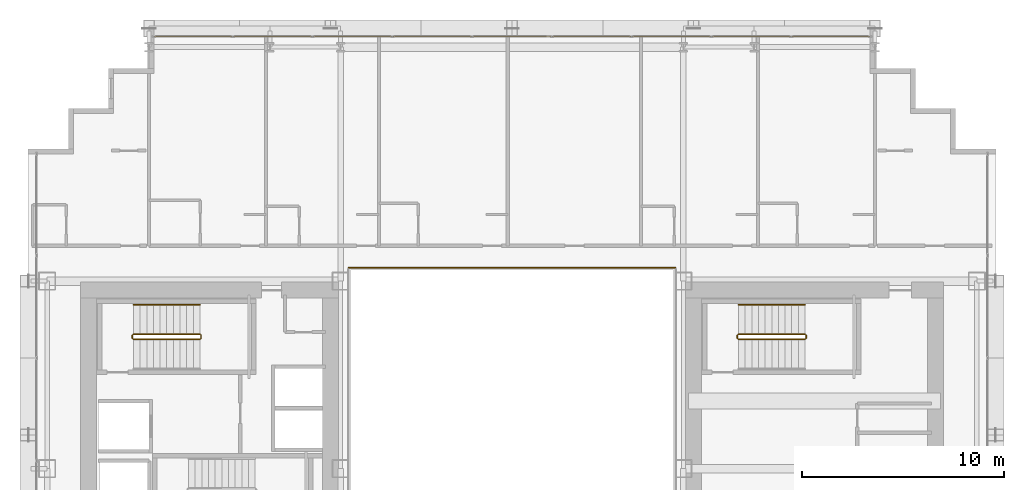
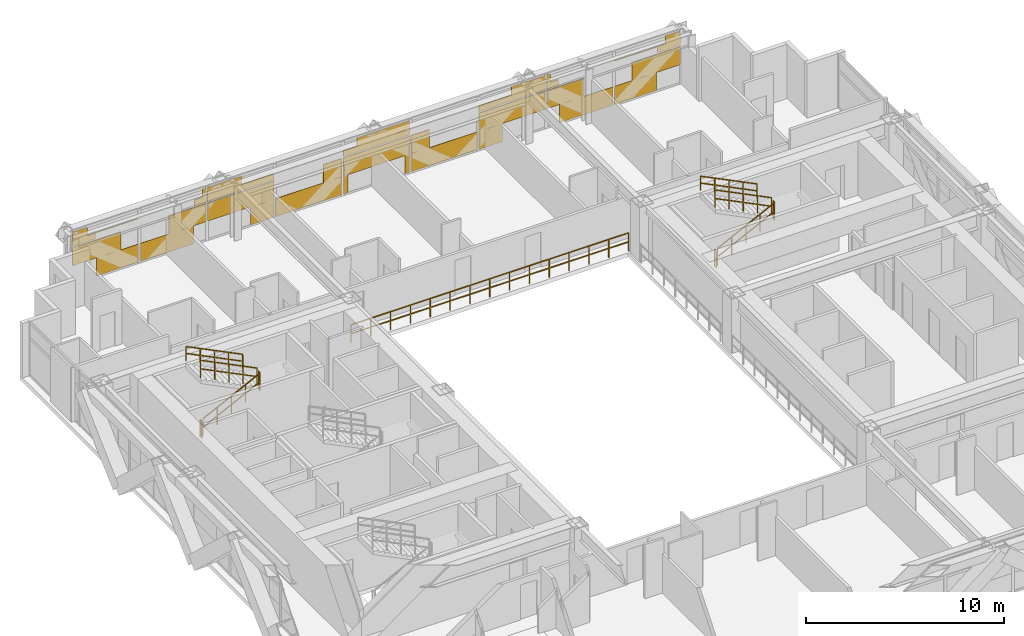
# One storey, part 38 of 38: 11 railings, 1 covering.
"""IFC4 building model written with IfcOpenShell, lengths in metres."""

from ifc_helpers import new_model, si_unit, direction, frame, origin, origin_2d, place, context, subcontext, project, spatial, rectangle, extrude, material, layer, layer_set, type_object, element, save


model = new_model("IFC4")

# Units and contexts
model_context = context("Model", 3, precision=1e-05, world=origin(), true_north=direction((0.0, 1.0)))
body_context = subcontext(model_context, "Body", "Model", "MODEL_VIEW")
ifc_project = project(units=[si_unit("LENGTHUNIT", "METRE"), si_unit("AREAUNIT", "SQUARE_METRE"), si_unit("VOLUMEUNIT", "CUBIC_METRE"), si_unit("PLANEANGLEUNIT", "RADIAN"), si_unit("MASSUNIT", "GRAM", prefix="KILO")], contexts=[model_context])

# Site, building, storey
site_placement = place(None, origin())
site = spatial("IfcSite", under=ifc_project, at=site_placement, CompositionType="ELEMENT")
building_placement = place(site_placement, origin())
building = spatial("IfcBuilding", under=site, at=building_placement, Name="Ocotamira Hotel", CompositionType="ELEMENT")
storey_placement = place(building_placement, frame((0.0, 0.0, 45.60009765625)))
storey = spatial("IfcBuildingStorey", under=building, at=storey_placement, Name="L10", CompositionType="ELEMENT", Elevation=45.60009765625)

# Covering
ifc_material_1 = material(Name="Insulated pale-metal aluminium spandrel panel", Category="aluminium")
ifc_layer = layer(ifc_material_1, 0.044921875)
ifc_layer_set = layer_set([ifc_layer], Name="Insulated pale-metal aluminium spandrel panel")
covering_type = type_object("IfcCoveringType", Name="COV-INFILL-45", PredefinedType="CLADDING", material=ifc_layer_set)
covering_placement = place(storey_placement, origin())
element("IfcCovering", 1, at=covering_placement, inside=storey, type_object=covering_type, Name="L10 Curtain Wall Infill CW-2 CW-L10-N", PredefinedType="CLADDING", context=body_context, shape_type="SweptSolid", body=[
    extrude(rectangle(XDim=2.822265625, YDim=0.044921875, at=origin_2d()), frame((15.691650390625, 49.580078125, 1.194091796875), z_axis=(0.0, 0.0, 1.0), x_axis=(1.0, 0.0, 0.0)), (0.0, 0.0, 1.0), 1.11767578125),
    extrude(rectangle(XDim=2.4521484375, YDim=0.044921875, at=origin_2d()), frame((16.888916015625, 49.580078125, 0.0751953125), z_axis=(0.0, 0.0, 1.0), x_axis=(1.0, 0.0, 0.0)), (0.0, 0.0, 1.0), 1.117919921875),
    extrude(rectangle(XDim=1.330078125, YDim=0.044921875, at=origin_2d()), frame((14.945556640625, 49.580078125, 2.3876953125), z_axis=(0.0, 0.0, 1.0), x_axis=(1.0, 0.0, 0.0)), (0.0, 0.0, 1.0), 0.344482421875),
    extrude(rectangle(XDim=3.834716796875, YDim=0.044921875, at=origin_2d()), frame((16.19775390625, 49.580078125, 2.7333984375), z_axis=(0.0, 0.0, 1.0), x_axis=(1.0, 0.0, 0.0)), (0.0, 0.0, 1.0), 0.0302734375),
    extrude(rectangle(XDim=0.859130859375, YDim=0.044921875, at=origin_2d()), frame((14.7099609375, 49.580078125, 2.7646484375), z_axis=(0.0, 0.0, 1.0), x_axis=(1.0, 0.0, 0.0)), (0.0, 0.0, 1.0), 0.509765625),
    extrude(rectangle(XDim=3.14111328125, YDim=0.044921875, at=origin_2d()), frame((19.7666015625, 49.580078125, 0.0751953125), z_axis=(0.0, 0.0, 1.0), x_axis=(1.0, 0.0, 0.0)), (0.0, 0.0, 1.0), 1.117919921875),
    extrude(rectangle(XDim=2.17333984375, YDim=0.044921875, at=origin_2d()), frame((20.98388671875, 49.580078125, 1.194091796875), z_axis=(0.0, 0.0, 1.0), x_axis=(1.0, 0.0, 0.0)), (0.0, 0.0, 1.0), 1.11767578125),
    extrude(rectangle(XDim=0.68115234375, YDim=0.044921875, at=origin_2d()), frame((21.72998046875, 49.580078125, 2.3876953125), z_axis=(0.0, 0.0, 1.0), x_axis=(1.0, 0.0, 0.0)), (0.0, 0.0, 1.0), 0.375732421875),
    extrude(rectangle(XDim=0.210205078125, YDim=0.044921875, at=origin_2d()), frame((21.965576171875, 49.580078125, 2.7646484375), z_axis=(0.0, 0.0, 1.0), x_axis=(1.0, 0.0, 0.0)), (0.0, 0.0, 1.0), 0.509765625),
    extrude(rectangle(XDim=3.87451171875, YDim=0.044921875, at=origin_2d()), frame((24.0888671875, 49.580078125, 1.194091796875), z_axis=(0.0, 0.0, 1.0), x_axis=(1.0, 0.0, 0.0)), (0.0, 0.0, 1.0), 1.11767578125),
    extrude(rectangle(XDim=1.36328125, YDim=0.044921875, at=origin_2d()), frame((25.344482421875, 49.580078125, 0.0751953125), z_axis=(0.0, 0.0, 1.0), x_axis=(1.0, 0.0, 0.0)), (0.0, 0.0, 1.0), 1.117919921875),
    extrude(rectangle(XDim=3.87451171875, YDim=0.044921875, at=origin_2d()), frame((24.0888671875, 49.580078125, 2.3876953125), z_axis=(0.0, 0.0, 1.0), x_axis=(1.0, 0.0, 0.0)), (0.0, 0.0, 1.0), 0.375732421875),
    extrude(rectangle(XDim=1.988037109375, YDim=0.044921875, at=origin_2d()), frame((23.1455078125, 49.580078125, 2.7646484375), z_axis=(0.0, 0.0, 1.0), x_axis=(1.0, 0.0, 0.0)), (0.0, 0.0, 1.0), 0.509765625),
    extrude(rectangle(XDim=3.87451171875, YDim=0.044921875, at=origin_2d()), frame((28.04443359375, 49.580078125, 0.0751953125), z_axis=(0.0, 0.0, 1.0), x_axis=(1.0, 0.0, 0.0)), (0.0, 0.0, 1.0), 1.117919921875),
    extrude(rectangle(XDim=1.08447265625, YDim=0.044921875, at=origin_2d()), frame((29.439453125, 49.580078125, 1.194091796875), z_axis=(0.0, 0.0, 1.0), x_axis=(1.0, 0.0, 0.0)), (0.0, 0.0, 1.0), 1.11767578125),
    extrude(rectangle(XDim=0.2744140625, YDim=0.044921875, at=origin_2d()), frame((30.199951171875, 49.580078125, 0.0751953125), z_axis=(0.0, 0.0, 1.0), x_axis=(1.0, 0.0, 0.0)), (0.0, 0.0, 1.0), 1.117919921875),
    extrude(rectangle(XDim=3.87451171875, YDim=0.044921875, at=origin_2d()), frame((32.0, 49.580078125, 1.194091796875), z_axis=(0.0, 0.0, 1.0), x_axis=(1.0, 0.0, 0.0)), (0.0, 0.0, 1.0), 1.11767578125),
    extrude(rectangle(XDim=0.2744140625, YDim=0.044921875, at=origin_2d()), frame((33.800048828125, 49.580078125, 0.0751953125), z_axis=(0.0, 0.0, 1.0), x_axis=(1.0, 0.0, 0.0)), (0.0, 0.0, 1.0), 1.117919921875),
    extrude(rectangle(XDim=3.87451171875, YDim=0.044921875, at=origin_2d()), frame((32.0, 49.580078125, 2.3876953125), z_axis=(0.0, 0.0, 1.0), x_axis=(1.0, 0.0, 0.0)), (0.0, 0.0, 1.0), 0.375732421875),
    extrude(rectangle(XDim=3.076904296875, YDim=0.044921875, at=origin_2d()), frame((32.39892578125, 49.580078125, 2.7646484375), z_axis=(0.0, 0.0, 1.0), x_axis=(1.0, 0.0, 0.0)), (0.0, 0.0, 1.0), 0.509765625),
    extrude(rectangle(XDim=3.87451171875, YDim=0.044921875, at=origin_2d()), frame((35.95556640625, 49.580078125, 0.0751953125), z_axis=(0.0, 0.0, 1.0), x_axis=(1.0, 0.0, 0.0)), (0.0, 0.0, 1.0), 1.117919921875),
    extrude(rectangle(XDim=1.08447265625, YDim=0.044921875, at=origin_2d()), frame((34.560546875, 49.580078125, 1.194091796875), z_axis=(0.0, 0.0, 1.0), x_axis=(1.0, 0.0, 0.0)), (0.0, 0.0, 1.0), 1.11767578125),
    extrude(rectangle(XDim=1.36328125, YDim=0.044921875, at=origin_2d()), frame((38.655517578125, 49.580078125, 0.0751953125), z_axis=(0.0, 0.0, 1.0), x_axis=(1.0, 0.0, 0.0)), (0.0, 0.0, 1.0), 1.117919921875),
    extrude(rectangle(XDim=3.87451171875, YDim=0.044921875, at=origin_2d()), frame((39.9111328125, 49.580078125, 1.194091796875), z_axis=(0.0, 0.0, 1.0), x_axis=(1.0, 0.0, 0.0)), (0.0, 0.0, 1.0), 1.11767578125),
    extrude(rectangle(XDim=3.87451171875, YDim=0.044921875, at=origin_2d()), frame((39.9111328125, 49.580078125, 2.3876953125), z_axis=(0.0, 0.0, 1.0), x_axis=(1.0, 0.0, 0.0)), (0.0, 0.0, 1.0), 0.375732421875),
    extrude(rectangle(XDim=1.988037109375, YDim=0.044921875, at=origin_2d()), frame((40.8544921875, 49.580078125, 2.7646484375), z_axis=(0.0, 0.0, 1.0), x_axis=(1.0, 0.0, 0.0)), (0.0, 0.0, 1.0), 0.509765625),
    extrude(rectangle(XDim=2.17333984375, YDim=0.044921875, at=origin_2d()), frame((43.01611328125, 49.580078125, 1.194091796875), z_axis=(0.0, 0.0, 1.0), x_axis=(1.0, 0.0, 0.0)), (0.0, 0.0, 1.0), 1.11767578125),
    extrude(rectangle(XDim=3.14111328125, YDim=0.044921875, at=origin_2d()), frame((44.2333984375, 49.580078125, 0.0751953125), z_axis=(0.0, 0.0, 1.0), x_axis=(1.0, 0.0, 0.0)), (0.0, 0.0, 1.0), 1.117919921875),
    extrude(rectangle(XDim=0.68115234375, YDim=0.044921875, at=origin_2d()), frame((42.27001953125, 49.580078125, 2.3876953125), z_axis=(0.0, 0.0, 1.0), x_axis=(1.0, 0.0, 0.0)), (0.0, 0.0, 1.0), 0.375732421875),
    extrude(rectangle(XDim=0.210205078125, YDim=0.044921875, at=origin_2d()), frame((42.034423828125, 49.580078125, 2.7646484375), z_axis=(0.0, 0.0, 1.0), x_axis=(1.0, 0.0, 0.0)), (0.0, 0.0, 1.0), 0.509765625),
    extrude(rectangle(XDim=2.4521484375, YDim=0.044921875, at=origin_2d()), frame((47.111083984375, 49.580078125, 0.0751953125), z_axis=(0.0, 0.0, 1.0), x_axis=(1.0, 0.0, 0.0)), (0.0, 0.0, 1.0), 1.117919921875),
    extrude(rectangle(XDim=2.822265625, YDim=0.044921875, at=origin_2d()), frame((48.308349609375, 49.580078125, 1.194091796875), z_axis=(0.0, 0.0, 1.0), x_axis=(1.0, 0.0, 0.0)), (0.0, 0.0, 1.0), 1.11767578125),
    extrude(rectangle(XDim=3.834716796875, YDim=0.044921875, at=origin_2d()), frame((47.80224609375, 49.580078125, 2.7333984375), z_axis=(0.0, 0.0, 1.0), x_axis=(1.0, 0.0, 0.0)), (0.0, 0.0, 1.0), 0.0302734375),
    extrude(rectangle(XDim=1.330078125, YDim=0.044921875, at=origin_2d()), frame((49.054443359375, 49.580078125, 2.3876953125), z_axis=(0.0, 0.0, 1.0), x_axis=(1.0, 0.0, 0.0)), (0.0, 0.0, 1.0), 0.344482421875),
    extrude(rectangle(XDim=0.859130859375, YDim=0.044921875, at=origin_2d()), frame((49.2900390625, 49.580078125, 2.7646484375), z_axis=(0.0, 0.0, 1.0), x_axis=(1.0, 0.0, 0.0)), (0.0, 0.0, 1.0), 0.509765625),
])

# Railings
ifc_material_2 = material(Name="Painted steel stair guardrail", Category="steel")
railing_type_1 = type_object("IfcRailingType", Name="RL-EDGE-1150", PredefinedType="GUARDRAIL", material=ifc_material_2)
railing_1_placement = place(storey_placement, frame((40.10009765625, 38.1201171875, 0.0)))
element("IfcRailing", 2, at=railing_1_placement, inside=storey, type_object=railing_type_1, Name="L10 Central Atrium Edge Guardrail N", PredefinedType="GUARDRAIL", context=body_context, shape_type="SweptSolid", body=[
    extrude(rectangle(XDim=0.048095703125, YDim=0.048095703125, at=origin_2d()), frame((0.0, 0.0, 1.1259765625), z_axis=(-1.0, 0.0, 0.0), x_axis=(0.0, -1.0, 0.0)), (0.0, 0.0, 1.0), 16.2001953125),
    extrude(rectangle(XDim=0.048095703125, YDim=0.048095703125, at=origin_2d()), frame((0.0, 0.0, 0.574951171875), z_axis=(-1.0, 0.0, 0.0), x_axis=(0.0, -1.0, 0.0)), (0.0, 0.0, 1.0), 16.2001953125),
    extrude(rectangle(XDim=0.0419921875, YDim=0.0419921875, at=origin_2d()), origin(), (0.0, 0.0, 1.0), 1.101806640625),
    extrude(rectangle(XDim=0.0419921875, YDim=0.0419921875, at=origin_2d()), frame((-1.1572265625, 0.0, 0.0)), (0.0, 0.0, 1.0), 1.101806640625),
    extrude(rectangle(XDim=0.0419921875, YDim=0.0419921875, at=origin_2d()), frame((-2.314208984375, 0.0, 0.0)), (0.0, 0.0, 1.0), 1.101806640625),
    extrude(rectangle(XDim=0.0419921875, YDim=0.0419921875, at=origin_2d()), frame((-3.471435546875, 0.0, 0.0)), (0.0, 0.0, 1.0), 1.101806640625),
    extrude(rectangle(XDim=0.0419921875, YDim=0.0419921875, at=origin_2d()), frame((-4.628662109375, 0.0, 0.0)), (0.0, 0.0, 1.0), 1.101806640625),
    extrude(rectangle(XDim=0.0419921875, YDim=0.0419921875, at=origin_2d()), frame((-5.785888671875, 0.0, 0.0)), (0.0, 0.0, 1.0), 1.101806640625),
    extrude(rectangle(XDim=0.0419921875, YDim=0.0419921875, at=origin_2d()), frame((-6.94287109375, 0.0, 0.0)), (0.0, 0.0, 1.0), 1.101806640625),
    extrude(rectangle(XDim=0.0419921875, YDim=0.0419921875, at=origin_2d()), frame((-8.10009765625, 0.0, 0.0)), (0.0, 0.0, 1.0), 1.101806640625),
    extrude(rectangle(XDim=0.0419921875, YDim=0.0419921875, at=origin_2d()), frame((-9.25732421875, 0.0, 0.0)), (0.0, 0.0, 1.0), 1.101806640625),
    extrude(rectangle(XDim=0.0419921875, YDim=0.0419921875, at=origin_2d()), frame((-10.414306640625, 0.0, 0.0)), (0.0, 0.0, 1.0), 1.101806640625),
    extrude(rectangle(XDim=0.0419921875, YDim=0.0419921875, at=origin_2d()), frame((-11.571533203125, 0.0, 0.0)), (0.0, 0.0, 1.0), 1.101806640625),
    extrude(rectangle(XDim=0.0419921875, YDim=0.0419921875, at=origin_2d()), frame((-12.728759765625, 0.0, 0.0)), (0.0, 0.0, 1.0), 1.101806640625),
    extrude(rectangle(XDim=0.0419921875, YDim=0.0419921875, at=origin_2d()), frame((-13.885986328125, 0.0, 0.0)), (0.0, 0.0, 1.0), 1.101806640625),
    extrude(rectangle(XDim=0.0419921875, YDim=0.0419921875, at=origin_2d()), frame((-15.04296875, 0.0, 0.0)), (0.0, 0.0, 1.0), 1.101806640625),
    extrude(rectangle(XDim=0.0419921875, YDim=0.0419921875, at=origin_2d()), frame((-16.2001953125, 0.0, 0.0)), (0.0, 0.0, 1.0), 1.101806640625),
])
ifc_material_3 = material(Name="Brushed stainless steel handrail", Category="steel")
railing_type_2 = type_object("IfcRailingType", Name="RL-HAND-900", PredefinedType="HANDRAIL", material=ifc_material_3)
for number, where, name in (
    (3, (16.530029296875, 36.280029296875, 2.127197265625), "L10 ST-2 stair handrail 2"),
    (4, (46.530029296875, 36.280029296875, 2.127197265625), "L10 ST-4 stair handrail 2"),
):
    element("IfcRailing", number, at=place(storey_placement, frame(where)), inside=storey, type_object=railing_type_2, Name=name, PredefinedType="HANDRAIL", context=body_context, shape_type="SweptSolid", body=[
        extrude(rectangle(XDim=0.048095703125, YDim=0.048095703125, at=origin_2d()), frame((0.0, 0.0, 0.8759765625), z_axis=(-0.895920123917, 0.0, 0.444215186098), x_axis=(0.0, -1.0, 0.0)), (0.0, 0.0, 1.0), 3.683349609375),
        extrude(rectangle(XDim=0.048095703125, YDim=0.048095703125, at=origin_2d()), frame((0.0, 0.0, 0.449951171875), z_axis=(-0.895920123917, 0.0, 0.444215186098), x_axis=(0.0, -1.0, 0.0)), (0.0, 0.0, 1.0), 3.683349609375),
        extrude(rectangle(XDim=0.0419921875, YDim=0.0419921875, at=origin_2d()), origin(), (0.0, 0.0, 1.0), 0.851806640625),
        extrude(rectangle(XDim=0.0419921875, YDim=0.0419921875, at=origin_2d()), frame((-0.824951171875, 0.0, 0.4091796875)), (0.0, 0.0, 1.0), 0.851806640625),
        extrude(rectangle(XDim=0.0419921875, YDim=0.0419921875, at=origin_2d()), frame((-1.64990234375, 0.0, 0.818115234375)), (0.0, 0.0, 1.0), 0.851806640625),
        extrude(rectangle(XDim=0.0419921875, YDim=0.0419921875, at=origin_2d()), frame((-2.47509765625, 0.0, 1.22705078125)), (0.0, 0.0, 1.0), 0.851806640625),
        extrude(rectangle(XDim=0.0419921875, YDim=0.0419921875, at=origin_2d()), frame((-3.300048828125, 0.0, 1.63623046875)), (0.0, 0.0, 1.0), 0.851806640625),
    ])
railing_type_3 = type_object("IfcRailingType", Name="RL-STAIR-1100", PredefinedType="GUARDRAIL", material=ifc_material_2)
railing_2_placement = place(storey_placement, frame((13.22998046875, 34.56005859375, 0.16357421875)))
element("IfcRailing", 5, at=railing_2_placement, inside=storey, type_object=railing_type_3, Name="L10 ST-2 stair guard 1", PredefinedType="GUARDRAIL", context=body_context, shape_type="SweptSolid", body=[
    extrude(rectangle(XDim=0.048095703125, YDim=0.048095703125, at=origin_2d()), frame((0.0, 0.0, 1.076171875), z_axis=(0.895920123917, 0.0, 0.444215186098), x_axis=(0.0, 1.0, 0.0)), (0.0, 0.0, 1.0), 3.683349609375),
    extrude(rectangle(XDim=0.048095703125, YDim=0.048095703125, at=origin_2d()), frame((0.0, 0.0, 0.550048828125), z_axis=(0.895920123917, 0.0, 0.444215186098), x_axis=(0.0, 1.0, 0.0)), (0.0, 0.0, 1.0), 3.683349609375),
    extrude(rectangle(XDim=0.0419921875, YDim=0.0419921875, at=origin_2d()), origin(), (0.0, 0.0, 1.0), 1.052001953125),
    extrude(rectangle(XDim=0.0419921875, YDim=0.0419921875, at=origin_2d()), frame((0.824951171875, 0.0, 0.4091796875)), (0.0, 0.0, 1.0), 1.052001953125),
    extrude(rectangle(XDim=0.0419921875, YDim=0.0419921875, at=origin_2d()), frame((1.64990234375, 0.0, 0.818115234375)), (0.0, 0.0, 1.0), 1.052001953125),
    extrude(rectangle(XDim=0.0419921875, YDim=0.0419921875, at=origin_2d()), frame((2.47509765625, 0.0, 1.22705078125)), (0.0, 0.0, 1.0), 1.052001953125),
    extrude(rectangle(XDim=0.0419921875, YDim=0.0419921875, at=origin_2d()), frame((3.300048828125, 0.0, 1.63623046875)), (0.0, 0.0, 1.0), 1.052001953125),
])
railing_3_placement = place(storey_placement, frame((16.580078125, 34.610107421875, 1.7998046875)))
element("IfcRailing", 6, at=railing_3_placement, inside=storey, type_object=railing_type_3, Name="L10 ST-2 stair guard 2", PredefinedType="GUARDRAIL", context=body_context, shape_type="SweptSolid", body=[
    extrude(rectangle(XDim=0.048095703125, YDim=0.048095703125, at=origin_2d()), frame((0.0, 0.0, 1.076171875), z_axis=(0.0, 1.0, 0.0), x_axis=(-1.0, 0.0, 0.0)), (0.0, 0.0, 1.0), 0.159912109375),
    extrude(rectangle(XDim=0.048095703125, YDim=0.048095703125, at=origin_2d()), frame((0.0, 0.0, 0.550048828125), z_axis=(0.0, 1.0, 0.0), x_axis=(-1.0, 0.0, 0.0)), (0.0, 0.0, 1.0), 0.159912109375),
    extrude(rectangle(XDim=0.0419921875, YDim=0.0419921875, at=origin_2d()), origin(), (0.0, 0.0, 1.0), 1.052001953125),
    extrude(rectangle(XDim=0.0419921875, YDim=0.0419921875, at=origin_2d()), frame((0.0, 0.159912109375, 0.0)), (0.0, 0.0, 1.0), 1.052001953125),
])
railing_4_placement = place(storey_placement, frame((16.530029296875, 34.820068359375, 1.963623046875)))
element("IfcRailing", 7, at=railing_4_placement, inside=storey, type_object=railing_type_3, Name="L10 ST-2 stair guard 3", PredefinedType="GUARDRAIL", context=body_context, shape_type="SweptSolid", body=[
    extrude(rectangle(XDim=0.048095703125, YDim=0.048095703125, at=origin_2d()), frame((0.0, 0.0, 1.076171875), z_axis=(-0.895920123917, 0.0, 0.444215186098), x_axis=(0.0, -1.0, 0.0)), (0.0, 0.0, 1.0), 3.683349609375),
    extrude(rectangle(XDim=0.048095703125, YDim=0.048095703125, at=origin_2d()), frame((0.0, 0.0, 0.550048828125), z_axis=(-0.895920123917, 0.0, 0.444215186098), x_axis=(0.0, -1.0, 0.0)), (0.0, 0.0, 1.0), 3.683349609375),
    extrude(rectangle(XDim=0.0419921875, YDim=0.0419921875, at=origin_2d()), origin(), (0.0, 0.0, 1.0), 1.052001953125),
    extrude(rectangle(XDim=0.0419921875, YDim=0.0419921875, at=origin_2d()), frame((-0.824951171875, 0.0, 0.4091796875)), (0.0, 0.0, 1.0), 1.052001953125),
    extrude(rectangle(XDim=0.0419921875, YDim=0.0419921875, at=origin_2d()), frame((-1.64990234375, 0.0, 0.818115234375)), (0.0, 0.0, 1.0), 1.052001953125),
    extrude(rectangle(XDim=0.0419921875, YDim=0.0419921875, at=origin_2d()), frame((-2.47509765625, 0.0, 1.22705078125)), (0.0, 0.0, 1.0), 1.052001953125),
    extrude(rectangle(XDim=0.0419921875, YDim=0.0419921875, at=origin_2d()), frame((-3.300048828125, 0.0, 1.63623046875)), (0.0, 0.0, 1.0), 1.052001953125),
])
railing_5_placement = place(storey_placement, frame((13.179931640625, 34.610107421875, 0.0)))
element("IfcRailing", 8, at=railing_5_placement, inside=storey, type_object=railing_type_3, Name="L10 ST-2 stair guard 4", PredefinedType="GUARDRAIL", context=body_context, shape_type="SweptSolid", body=[
    extrude(rectangle(XDim=0.048095703125, YDim=0.048095703125, at=origin_2d()), frame((0.0, 0.0, 1.076171875), z_axis=(0.0, 1.0, 0.0), x_axis=(-1.0, 0.0, 0.0)), (0.0, 0.0, 1.0), 0.159912109375),
    extrude(rectangle(XDim=0.048095703125, YDim=0.048095703125, at=origin_2d()), frame((0.0, 0.0, 0.550048828125), z_axis=(0.0, 1.0, 0.0), x_axis=(-1.0, 0.0, 0.0)), (0.0, 0.0, 1.0), 0.159912109375),
    extrude(rectangle(XDim=0.0419921875, YDim=0.0419921875, at=origin_2d()), origin(), (0.0, 0.0, 1.0), 1.052001953125),
    extrude(rectangle(XDim=0.0419921875, YDim=0.0419921875, at=origin_2d()), frame((0.0, 0.159912109375, 0.0)), (0.0, 0.0, 1.0), 1.052001953125),
])
railing_6_placement = place(storey_placement, frame((43.22998046875, 34.56005859375, 0.16357421875)))
element("IfcRailing", 9, at=railing_6_placement, inside=storey, type_object=railing_type_3, Name="L10 ST-4 stair guard 1", PredefinedType="GUARDRAIL", context=body_context, shape_type="SweptSolid", body=[
    extrude(rectangle(XDim=0.048095703125, YDim=0.048095703125, at=origin_2d()), frame((0.0, 0.0, 1.076171875), z_axis=(0.895920123917, 0.0, 0.444215186098), x_axis=(0.0, 1.0, 0.0)), (0.0, 0.0, 1.0), 3.683349609375),
    extrude(rectangle(XDim=0.048095703125, YDim=0.048095703125, at=origin_2d()), frame((0.0, 0.0, 0.550048828125), z_axis=(0.895920123917, 0.0, 0.444215186098), x_axis=(0.0, 1.0, 0.0)), (0.0, 0.0, 1.0), 3.683349609375),
    extrude(rectangle(XDim=0.0419921875, YDim=0.0419921875, at=origin_2d()), origin(), (0.0, 0.0, 1.0), 1.052001953125),
    extrude(rectangle(XDim=0.0419921875, YDim=0.0419921875, at=origin_2d()), frame((0.824951171875, 0.0, 0.4091796875)), (0.0, 0.0, 1.0), 1.052001953125),
    extrude(rectangle(XDim=0.0419921875, YDim=0.0419921875, at=origin_2d()), frame((1.64990234375, 0.0, 0.818115234375)), (0.0, 0.0, 1.0), 1.052001953125),
    extrude(rectangle(XDim=0.0419921875, YDim=0.0419921875, at=origin_2d()), frame((2.47509765625, 0.0, 1.22705078125)), (0.0, 0.0, 1.0), 1.052001953125),
    extrude(rectangle(XDim=0.0419921875, YDim=0.0419921875, at=origin_2d()), frame((3.300048828125, 0.0, 1.63623046875)), (0.0, 0.0, 1.0), 1.052001953125),
])
railing_7_placement = place(storey_placement, frame((46.580078125, 34.610107421875, 1.7998046875)))
element("IfcRailing", 10, at=railing_7_placement, inside=storey, type_object=railing_type_3, Name="L10 ST-4 stair guard 2", PredefinedType="GUARDRAIL", context=body_context, shape_type="SweptSolid", body=[
    extrude(rectangle(XDim=0.048095703125, YDim=0.048095703125, at=origin_2d()), frame((0.0, 0.0, 1.076171875), z_axis=(0.0, 1.0, 0.0), x_axis=(-1.0, 0.0, 0.0)), (0.0, 0.0, 1.0), 0.159912109375),
    extrude(rectangle(XDim=0.048095703125, YDim=0.048095703125, at=origin_2d()), frame((0.0, 0.0, 0.550048828125), z_axis=(0.0, 1.0, 0.0), x_axis=(-1.0, 0.0, 0.0)), (0.0, 0.0, 1.0), 0.159912109375),
    extrude(rectangle(XDim=0.0419921875, YDim=0.0419921875, at=origin_2d()), origin(), (0.0, 0.0, 1.0), 1.052001953125),
    extrude(rectangle(XDim=0.0419921875, YDim=0.0419921875, at=origin_2d()), frame((0.0, 0.159912109375, 0.0)), (0.0, 0.0, 1.0), 1.052001953125),
])
railing_8_placement = place(storey_placement, frame((46.530029296875, 34.820068359375, 1.963623046875)))
element("IfcRailing", 11, at=railing_8_placement, inside=storey, type_object=railing_type_3, Name="L10 ST-4 stair guard 3", PredefinedType="GUARDRAIL", context=body_context, shape_type="SweptSolid", body=[
    extrude(rectangle(XDim=0.048095703125, YDim=0.048095703125, at=origin_2d()), frame((0.0, 0.0, 1.076171875), z_axis=(-0.895920123917, 0.0, 0.444215186098), x_axis=(0.0, -1.0, 0.0)), (0.0, 0.0, 1.0), 3.683349609375),
    extrude(rectangle(XDim=0.048095703125, YDim=0.048095703125, at=origin_2d()), frame((0.0, 0.0, 0.550048828125), z_axis=(-0.895920123917, 0.0, 0.444215186098), x_axis=(0.0, -1.0, 0.0)), (0.0, 0.0, 1.0), 3.683349609375),
    extrude(rectangle(XDim=0.0419921875, YDim=0.0419921875, at=origin_2d()), origin(), (0.0, 0.0, 1.0), 1.052001953125),
    extrude(rectangle(XDim=0.0419921875, YDim=0.0419921875, at=origin_2d()), frame((-0.824951171875, 0.0, 0.4091796875)), (0.0, 0.0, 1.0), 1.052001953125),
    extrude(rectangle(XDim=0.0419921875, YDim=0.0419921875, at=origin_2d()), frame((-1.64990234375, 0.0, 0.818115234375)), (0.0, 0.0, 1.0), 1.052001953125),
    extrude(rectangle(XDim=0.0419921875, YDim=0.0419921875, at=origin_2d()), frame((-2.47509765625, 0.0, 1.22705078125)), (0.0, 0.0, 1.0), 1.052001953125),
    extrude(rectangle(XDim=0.0419921875, YDim=0.0419921875, at=origin_2d()), frame((-3.300048828125, 0.0, 1.63623046875)), (0.0, 0.0, 1.0), 1.052001953125),
])
railing_9_placement = place(storey_placement, frame((43.179931640625, 34.610107421875, 0.0)))
element("IfcRailing", 12, at=railing_9_placement, inside=storey, type_object=railing_type_3, Name="L10 ST-4 stair guard 4", PredefinedType="GUARDRAIL", context=body_context, shape_type="SweptSolid", body=[
    extrude(rectangle(XDim=0.048095703125, YDim=0.048095703125, at=origin_2d()), frame((0.0, 0.0, 1.076171875), z_axis=(0.0, 1.0, 0.0), x_axis=(-1.0, 0.0, 0.0)), (0.0, 0.0, 1.0), 0.159912109375),
    extrude(rectangle(XDim=0.048095703125, YDim=0.048095703125, at=origin_2d()), frame((0.0, 0.0, 0.550048828125), z_axis=(0.0, 1.0, 0.0), x_axis=(-1.0, 0.0, 0.0)), (0.0, 0.0, 1.0), 0.159912109375),
    extrude(rectangle(XDim=0.0419921875, YDim=0.0419921875, at=origin_2d()), origin(), (0.0, 0.0, 1.0), 1.052001953125),
    extrude(rectangle(XDim=0.0419921875, YDim=0.0419921875, at=origin_2d()), frame((0.0, 0.159912109375, 0.0)), (0.0, 0.0, 1.0), 1.052001953125),
])

save(model, "model.ifc")
